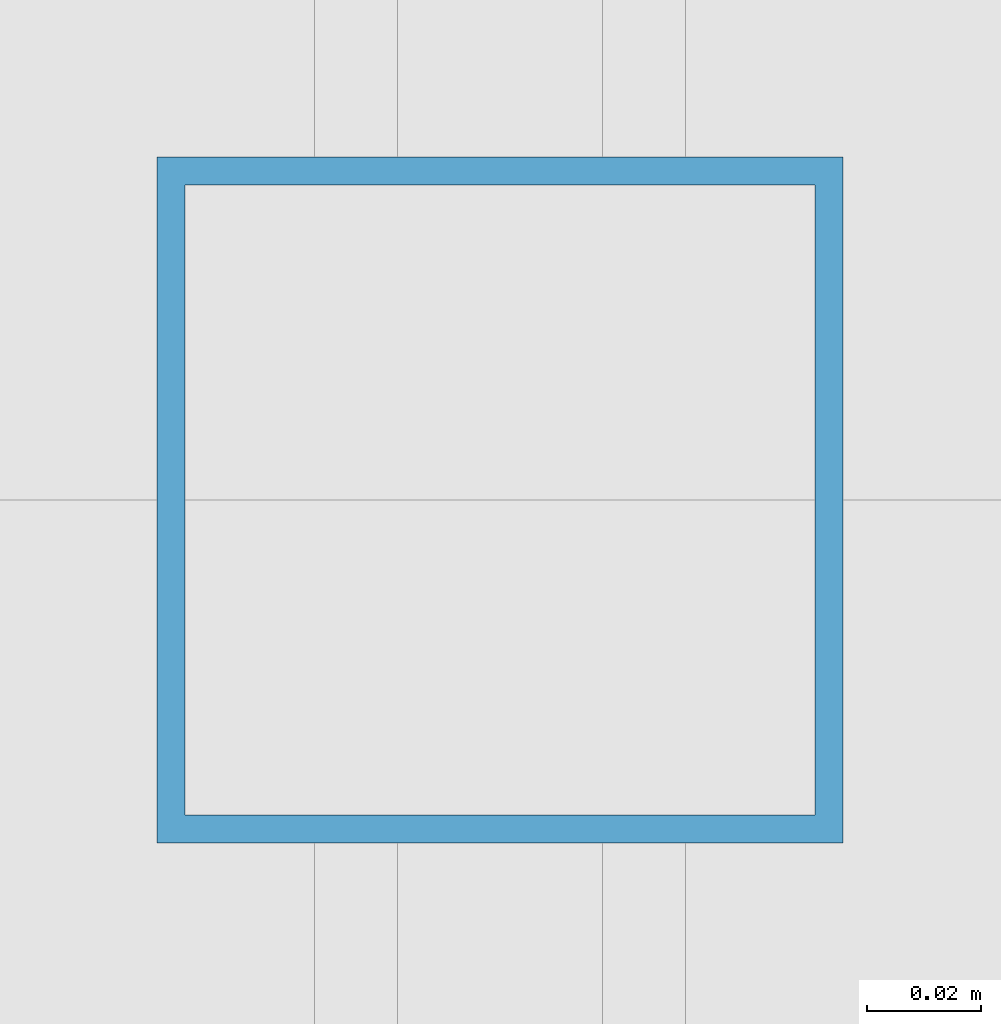
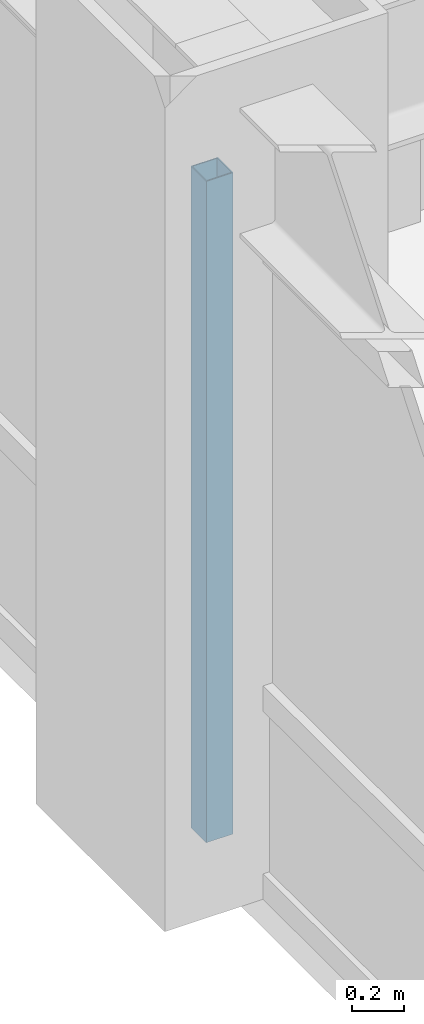
# One storey, part 6 of 24: 1 member, 1 element without a shape of its own.
"""IFC4 building model written with IfcOpenShell, lengths in metres."""

from ifc_helpers import new_model, si_unit, direction, frame, origin, origin_2d, place, context, subcontext, project, spatial, hollow_rectangle, extrude, source, transform, mapped, material, material_profile, profile_set, type_object, element, aggregate, save


model = new_model("IFC4")

# Units and contexts
model_context = context("Model", 3, precision=1e-05, world=origin(), true_north=direction((0.0, 1.0)))
body_context = subcontext(model_context, "Body", "Model", "MODEL_VIEW")
ifc_project = project(units=[si_unit("LENGTHUNIT", "METRE"), si_unit("AREAUNIT", "SQUARE_METRE"), si_unit("VOLUMEUNIT", "CUBIC_METRE"), si_unit("PLANEANGLEUNIT", "RADIAN"), si_unit("MASSUNIT", "GRAM", prefix="KILO")], contexts=[model_context])

# Site, building, storey
site_placement = place(None, origin())
site = spatial("IfcSite", under=ifc_project, at=site_placement, CompositionType="ELEMENT")
building_placement = place(site_placement, origin())
building = spatial("IfcBuilding", under=site, at=building_placement, Name="Khorayat Bourse Tower", CompositionType="ELEMENT")
storey_placement = place(building_placement, frame((0.0, 0.0, 259.10009765625)))
storey = spatial("IfcBuildingStorey", under=building, at=storey_placement, Name="L61", CompositionType="ELEMENT", Elevation=259.10009765625)

# Curtain wall, member
ifc_material = material(Name="Aluminium EN AW-6063 T6", Category="aluminium")
curtain_wall_type = type_object("IfcCurtainWallType", Name="CW-SYS-03", PredefinedType="NOTDEFINED", material=ifc_material)
curtain_wall_placement = place(storey_placement, origin())
curtain_wall = element("IfcCurtainWall", 1, at=curtain_wall_placement, inside=storey, type_object=curtain_wall_type, Name="L61 Curtain Wall CW-L61-W1", PredefinedType="NOTDEFINED")
ifc_material_profile = material_profile(ifc_material, hollow_rectangle(XDim=0.1201171875, YDim=0.1201171875, WallThickness=0.0048828125, at=origin_2d()), Name="ALU 120x120x5")
ifc_profile_set = profile_set([ifc_material_profile], Name="Aluminium EN AW-6063 T6")
member_type = type_object("IfcMemberType", Name="CWM-VERT-120", PredefinedType="MULLION", material=ifc_profile_set)
shared_shape = source(origin(), body_context, "Body", "SweptSolid", [
    extrude(hollow_rectangle(XDim=0.1201171875, YDim=0.1201171875, WallThickness=0.0048828125, at=origin_2d()), origin(), (0.0, 0.0, 1.0), 3.1298828125),
])
member_placement = place(storey_placement, frame((-30.0, 0.0, 0.0), z_axis=(0.0, 0.0, 1.0), x_axis=(-1.0, 0.0, 0.0)))
member = element("IfcMember", 2, at=member_placement, type_object=member_type, Name="CW-L61-W1 Vertical Mullion 2", PredefinedType="MULLION", context=body_context, shape_type="MappedRepresentation", body=[
    mapped(shared_shape, transform((0.0, 0.0, 0.0), scale=1.0)),
])
aggregate(curtain_wall, [member])

save(model, "model.ifc")
